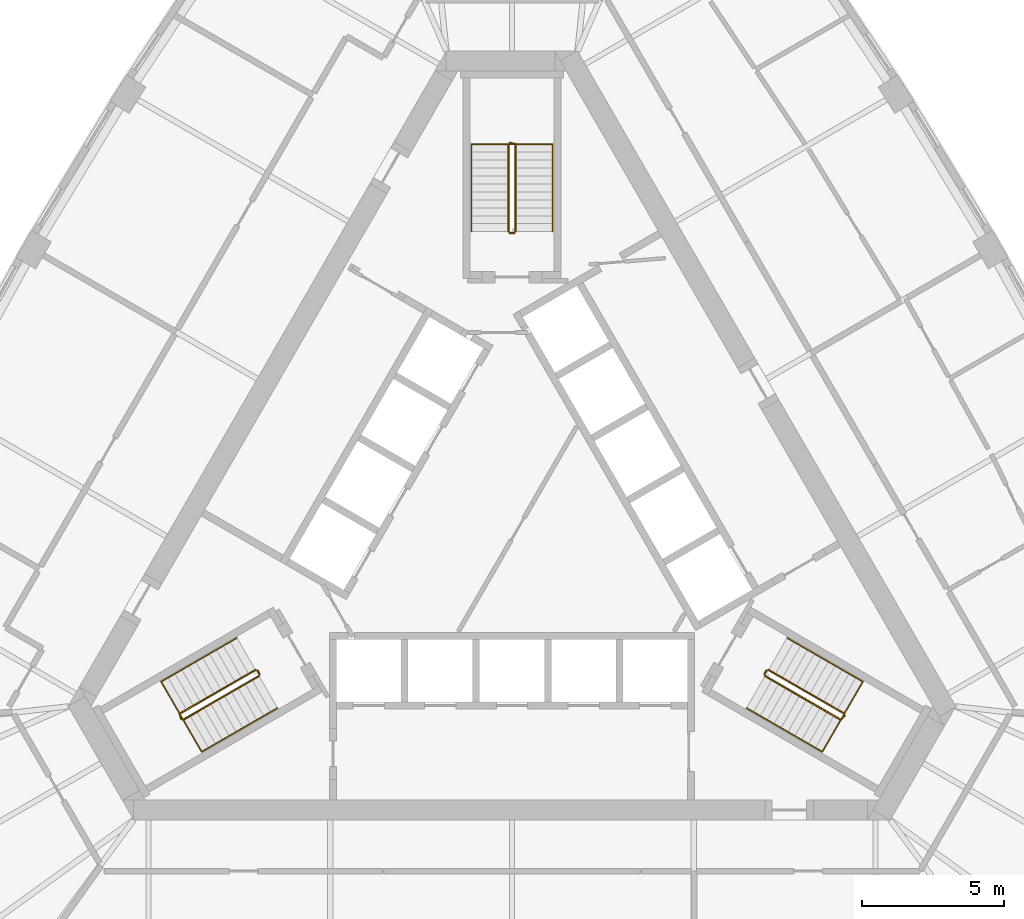
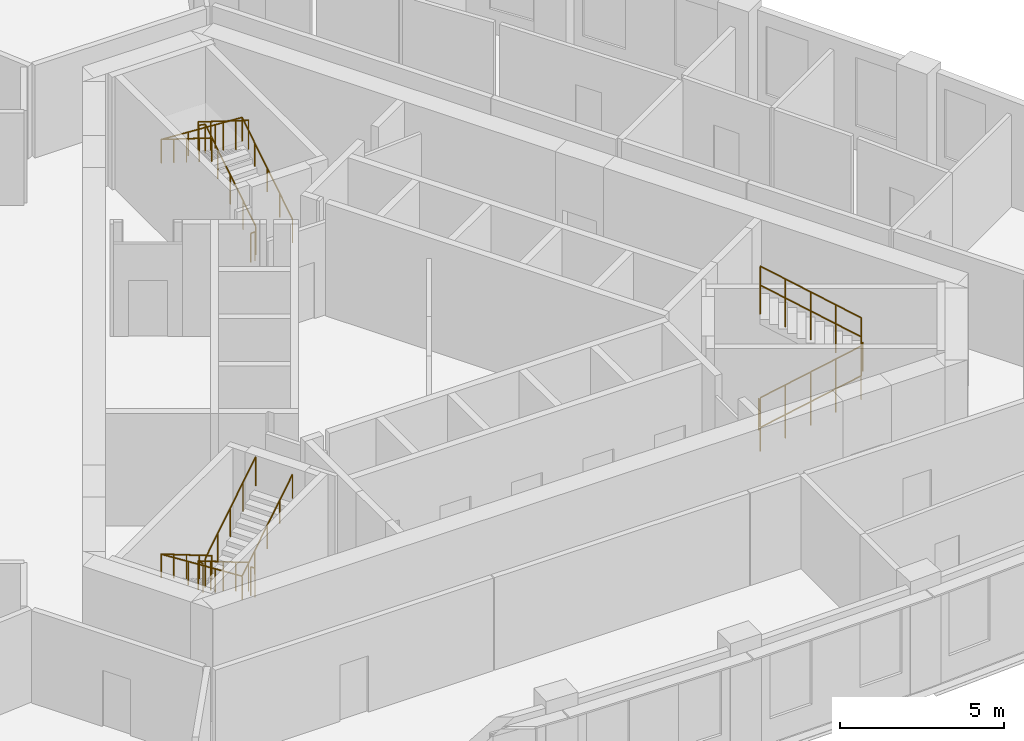
# One storey, part 10 of 10: 12 railings.
"""IFC4 building model written with IfcOpenShell, lengths in metres."""

import ifcopenshell
import ifcopenshell.guid

model = None  # the IFC model being written
_history = None  # IfcOwnerHistory: only IFC2X3 demands one
_inside = {}  # id of a spatial element -> (the spatial element, [elements in it])
_under = {}  # id of a project, library or spatial element -> (it, [spatial elements below it])
_declared = {}  # id of a project -> (the project, [libraries it declares])
_typed = {}  # id of a type object -> (the type object, [elements of that type])
_made_of = {}  # id of a material, layer set ... -> (it, [elements and type objects made of it])


def new_model(schema):
    """Start an empty IFC model of exactly this schema.

    Asked for "IFC4X3", IfcOpenShell would pick the latest addendum, in which some entities
    have other attributes; the version numbers below select the first issue.
    IFC2X3 requires an IfcOwnerHistory on every rooted entity: one is made here for all.
    """
    global model, _history
    if schema == "IFC4X3":
        model = ifcopenshell.file(schema_version=(4, 3, 0, 0))
    else:
        model = ifcopenshell.file(schema=schema)
    _inside.clear()
    _under.clear()
    _declared.clear()
    _typed.clear()
    _made_of.clear()
    _history = None
    if model.schema == "IFC2X3":
        org = make("IfcOrganization", Name="unknown")
        user = make(
            "IfcPersonAndOrganization",
            ThePerson=make("IfcPerson", FamilyName="unknown"),
            TheOrganization=org,
        )
        app = make(
            "IfcApplication",
            ApplicationDeveloper=org,
            Version="unknown",
            ApplicationFullName="unknown",
            ApplicationIdentifier="unknown",
        )
        _history = make(
            "IfcOwnerHistory",
            OwningUser=user,
            OwningApplication=app,
            ChangeAction="ADDED",
            CreationDate=0,
        )
    return model


def make(cls, **values):
    """One entity of the class cls with the attributes given. An attribute that is None is left unset."""
    return model.create_entity(
        cls, **{name: value for name, value in values.items() if value is not None}
    )


def rooted(cls, **values):
    """An entity with a GlobalId (a new one), such as an element, a storey or a relation."""
    return make(cls, GlobalId=ifcopenshell.guid.new(), OwnerHistory=_history, **values)


def si_unit(unit_type, name, prefix=None):
    """IfcSIUnit, for example si_unit("LENGTHUNIT", "METRE", prefix="MILLI")."""
    return make("IfcSIUnit", UnitType=unit_type, Prefix=prefix, Name=name)


def assignment(units):
    """IfcUnitAssignment: the units of a project."""
    return None if units is None else make("IfcUnitAssignment", Units=units)


def point(xyz):
    """IfcCartesianPoint."""
    return None if xyz is None else make("IfcCartesianPoint", Coordinates=xyz)


def direction(xyz):
    """IfcDirection."""
    return None if xyz is None else make("IfcDirection", DirectionRatios=xyz)


def frame(location, z_axis=None, x_axis=None):
    """IfcAxis2Placement3D, a coordinate frame: its origin and axes. An axis left out is left unset."""
    return make(
        "IfcAxis2Placement3D",
        Location=point(location),
        Axis=direction(z_axis),
        RefDirection=direction(x_axis),
    )


def frame_2d(location, x_axis=None):
    """IfcAxis2Placement2D, a coordinate frame in the plane: its origin and x axis."""
    return make(
        "IfcAxis2Placement2D", Location=point(location), RefDirection=direction(x_axis)
    )


def origin():
    """The frame at (0, 0, 0) with its axes left unset."""
    return frame((0.0, 0.0, 0.0))


def origin_2d():
    """The frame at (0, 0) in the plane with its x axis left unset."""
    return frame_2d((0.0, 0.0))


def place(relative_to, where):
    """IfcLocalPlacement: puts the frame where relative to a parent placement (None: the world)."""
    return make(
        "IfcLocalPlacement", PlacementRelTo=relative_to, RelativePlacement=where
    )


def context(
    kind, dimensions, precision=None, world=None, true_north=None, identifier=None
):
    """IfcGeometricRepresentationContext, for example the 3D "Model" context."""
    return make(
        "IfcGeometricRepresentationContext",
        ContextIdentifier=identifier,
        ContextType=kind,
        CoordinateSpaceDimension=dimensions,
        Precision=precision,
        WorldCoordinateSystem=world,
        TrueNorth=true_north,
    )


def subcontext(parent, identifier, kind, view, scale=None):
    """IfcGeometricRepresentationSubContext, for example "Body" below "Model"."""
    return make(
        "IfcGeometricRepresentationSubContext",
        ContextIdentifier=identifier,
        ContextType=kind,
        ParentContext=parent,
        TargetScale=scale,
        TargetView=view,
    )


def project(units=None, contexts=None):
    """IfcProject with its units and contexts."""
    return rooted(
        "IfcProject",
        Name="project",
        RepresentationContexts=contexts,
        UnitsInContext=assignment(units),
    )


def spatial(cls, under=None, at=None, **own):
    """A site, building, storey or space (cls), placed at a placement, below another one or the project."""
    s = rooted(cls, ObjectPlacement=at, **own)
    if under is not None:
        _under.setdefault(under.id(), (under, []))[1].append(s)
    return s


def profile(cls, at=None, kind="AREA", **sizes):
    """A parametric profile (cls). Its sizes go by their IFC names, for example OverallWidth=200.0."""
    return make(cls, ProfileType=kind, Position=at, **sizes)


def circle(**sizes):
    """IfcCircleProfileDef."""
    return profile("IfcCircleProfileDef", **sizes)


def extrude(swept, where, along, depth):
    """IfcExtrudedAreaSolid: the profile swept, set in the frame where, extruded along a direction by depth."""
    return make(
        "IfcExtrudedAreaSolid",
        SweptArea=swept,
        Position=where,
        ExtrudedDirection=direction(along),
        Depth=depth,
    )


def shape(context_of_items, identifier, shape_type, items):
    """IfcShapeRepresentation: the items that make up one representation, for example the "Body"."""
    return make(
        "IfcShapeRepresentation",
        ContextOfItems=context_of_items,
        RepresentationIdentifier=identifier,
        RepresentationType=shape_type,
        Items=items,
    )


def material(Name=None, Category=None):
    """IfcMaterial."""
    return make("IfcMaterial", Name=Name, Category=Category)


def made_of(thing, what):
    """Note that an element or type object is made of a material, layer set ...; save() writes the relation."""
    if what is not None:
        _made_of.setdefault(what.id(), (what, []))[1].append(thing)
    return thing


def type_object(cls, material=None, **own):
    """A type object (cls), such as IfcWallType, which elements share."""
    return made_of(rooted(cls, **own), material)


def element(
    cls,
    number,
    at=None,
    inside=None,
    cuts=None,
    type_object=None,
    material=None,
    context=None,
    identifier="Body",
    shape_type=None,
    held_by="IfcProductDefinitionShape",
    body=None,
    shapes=None,
    **own,
):
    """One element of the class cls, such as IfcWall. Its Tag is "e" and its number.

    at: its placement. inside: the storey or other place that contains it. cuts: it is an
    opening in that element (IfcRelVoidsElement). A single representation is given by context,
    identifier, shape_type and body (its items); several are given by shapes. held_by: the class
    of the entity that holds the representations. save() writes the other relations.
    """
    e = rooted(cls, Tag="e%d" % number, ObjectPlacement=at, **own)
    if body is not None:
        shapes = [shape(context, identifier, shape_type, body)]
    if shapes is not None:
        e.Representation = make(held_by, Representations=shapes)
    if inside is not None:
        _inside.setdefault(inside.id(), (inside, []))[1].append(e)
    if cuts is not None:
        rooted(
            "IfcRelVoidsElement", RelatingBuildingElement=cuts, RelatedOpeningElement=e
        )
    if type_object is not None:
        _typed.setdefault(type_object.id(), (type_object, []))[1].append(e)
    return made_of(e, material)


def aggregate(whole, parts):
    """IfcRelAggregates: a whole, such as a stair, and the parts it consists of."""
    return rooted("IfcRelAggregates", RelatingObject=whole, RelatedObjects=parts)


def save(model, path):
    """Write the relations noted so far, then the file.

    IfcRelAggregates (storeys below a building ...), IfcRelContainedInSpatialStructure (elements
    in a storey), IfcRelDefinesByType, IfcRelAssociatesMaterial and IfcRelDeclares: one each for
    every whole, place, type object, material and project.
    """
    for whole, parts in _under.values():
        aggregate(whole, parts)
    for where, things in _inside.values():
        rooted(
            "IfcRelContainedInSpatialStructure",
            RelatedElements=things,
            RelatingStructure=where,
        )
    for kind, things in _typed.values():
        rooted("IfcRelDefinesByType", RelatedObjects=things, RelatingType=kind)
    for what, things in _made_of.values():
        rooted("IfcRelAssociatesMaterial", RelatedObjects=things, RelatingMaterial=what)
    for by, libraries in _declared.values():
        rooted("IfcRelDeclares", RelatingContext=by, RelatedDefinitions=libraries)
    model.write(path)


model = new_model("IFC4")

# Units and contexts
model_context = context("Model", 3, precision=1e-05, world=origin(), true_north=direction((0.0, 1.0)))
body_context = subcontext(model_context, "Body", "Model", "MODEL_VIEW")
ifc_project = project(units=[si_unit("LENGTHUNIT", "METRE"), si_unit("AREAUNIT", "SQUARE_METRE"), si_unit("VOLUMEUNIT", "CUBIC_METRE"), si_unit("PLANEANGLEUNIT", "RADIAN"), si_unit("MASSUNIT", "GRAM", prefix="KILO")], contexts=[model_context])

# Site, building, storey
site_placement = place(None, origin())
site = spatial("IfcSite", under=ifc_project, at=site_placement, CompositionType="ELEMENT")
building_placement = place(site_placement, origin())
building = spatial("IfcBuilding", under=site, at=building_placement, Name="Mestral Congress Tower", CompositionType="ELEMENT")
storey_placement = place(building_placement, frame((0.0, 0.0, 235.199951171875)))
storey = spatial("IfcBuildingStorey", under=building, at=storey_placement, Name="L55", CompositionType="ELEMENT", Elevation=235.199951171875)

# Railings
ifc_material_1 = material(Name="Steel balustrade", Category="steel")
railing_type_1 = type_object("IfcRailingType", Name="Stair guard 1100", PredefinedType="GUARDRAIL", material=ifc_material_1)
railing_1_placement = place(storey_placement, frame((8.90087890625, -5.283203125, 0.175048828125)))
element("IfcRailing", 1, at=railing_1_placement, inside=storey, type_object=railing_type_1, Name="L55 ST1 stair guard 1", PredefinedType="GUARDRAIL", context=body_context, shape_type="SweptSolid", body=[
    extrude(circle(Radius=0.02392578125, at=origin_2d()), frame((0.0, 0.0, 1.076171875), z_axis=(0.734364028329, -0.424015404183, 0.530019255228), x_axis=(0.500026652407, 0.866010015463, 0.0)), (0.0, 0.0, 1.0), 3.632080078125),
    extrude(circle(Radius=0.02392578125, at=origin_2d()), frame((2.667236328125, -1.5400390625, 3.0009765625), z_axis=(0.695164929852, 0.718850276695, 0.0), x_axis=(-0.718850276695, 0.695164929852, 0.0)), (0.0, 0.0, 1.0), 0.2060546875),
    extrude(circle(Radius=0.02099609375, at=origin_2d()), origin(), (0.0, 0.0, 1.0), 1.052001953125),
    extrude(circle(Radius=0.02099609375, at=origin_2d()), frame((0.666748046875, -0.385009765625, 0.481201171875)), (0.0, 0.0, 1.0), 1.052001953125),
    extrude(circle(Radius=0.02099609375, at=origin_2d()), frame((1.33349609375, -0.77001953125, 0.96240234375)), (0.0, 0.0, 1.0), 1.052001953125),
    extrude(circle(Radius=0.02099609375, at=origin_2d()), frame((2.00048828125, -1.155029296875, 1.44384765625)), (0.0, 0.0, 1.0), 1.052001953125),
    extrude(circle(Radius=0.02099609375, at=origin_2d()), frame((2.667236328125, -1.5400390625, 1.925048828125)), (0.0, 0.0, 1.0), 1.052001953125),
    extrude(circle(Radius=0.02099609375, at=origin_2d()), frame((2.810546875, -1.391845703125, 1.925048828125)), (0.0, 0.0, 1.0), 1.052001953125),
])
railing_2_placement = place(storey_placement, frame((11.693115234375, -6.606689453125, 2.275146484375)))
element("IfcRailing", 2, at=railing_2_placement, inside=storey, type_object=railing_type_1, Name="L55 ST1 stair guard 2", PredefinedType="GUARDRAIL", context=body_context, shape_type="SweptSolid", body=[
    extrude(circle(Radius=0.02392578125, at=origin_2d()), frame((0.0, 0.0, 1.076171875), z_axis=(-0.734390191396, 0.42403051051, 0.529970917068), x_axis=(-0.500026652407, -0.866010015463, 0.0)), (0.0, 0.0, 1.0), 3.6318359375),
    extrude(circle(Radius=0.02099609375, at=origin_2d()), origin(), (0.0, 0.0, 1.0), 1.052001953125),
    extrude(circle(Radius=0.02099609375, at=origin_2d()), frame((-0.666748046875, 0.385009765625, 0.481201171875)), (0.0, 0.0, 1.0), 1.052001953125),
    extrude(circle(Radius=0.02099609375, at=origin_2d()), frame((-1.33349609375, 0.77001953125, 0.96240234375)), (0.0, 0.0, 1.0), 1.052001953125),
    extrude(circle(Radius=0.02099609375, at=origin_2d()), frame((-2.00048828125, 1.155029296875, 1.443603515625)), (0.0, 0.0, 1.0), 1.052001953125),
    extrude(circle(Radius=0.02099609375, at=origin_2d()), frame((-2.667236328125, 1.5400390625, 1.9248046875)), (0.0, 0.0, 1.0), 1.052001953125),
])
railing_3_placement = place(storey_placement, frame((8.882568359375, -5.21484375, 0.0)))
element("IfcRailing", 3, at=railing_3_placement, inside=storey, type_object=railing_type_1, Name="L55 ST1 stair guard 3", PredefinedType="GUARDRAIL", context=body_context, shape_type="SweptSolid", body=[
    extrude(circle(Radius=0.02392578125, at=origin_2d()), frame((0.0, 0.0, 1.076171875), z_axis=(0.499816412211, 0.866131372301, 0.0), x_axis=(-0.866131372301, 0.499816412211, 0.0)), (0.0, 0.0, 1.0), 0.14990234375),
    extrude(circle(Radius=0.02099609375, at=origin_2d()), origin(), (0.0, 0.0, 1.0), 1.052001953125),
    extrude(circle(Radius=0.02099609375, at=origin_2d()), frame((0.074951171875, 0.1298828125, 0.0)), (0.0, 0.0, 1.0), 1.052001953125),
])
railing_4_placement = place(storey_placement, frame((0.125, 10.35009765625, 0.175048828125)))
element("IfcRailing", 4, at=railing_4_placement, inside=storey, type_object=railing_type_1, Name="L55 ST2 stair guard 1", PredefinedType="GUARDRAIL", context=body_context, shape_type="SweptSolid", body=[
    extrude(circle(Radius=0.02392578125, at=origin_2d()), frame((0.0, 0.0, 1.076171875), z_axis=(0.0, 0.847979421464, 0.530029150871), x_axis=(-1.0, 0.0, 0.0)), (0.0, 0.0, 1.0), 3.632080078125),
    extrude(circle(Radius=0.02392578125, at=origin_2d()), frame((0.0, 3.079833984375, 3.0009765625), z_axis=(-0.970072785993, 0.242814311512, 0.0), x_axis=(-0.242814311512, -0.970072785993, 0.0)), (0.0, 0.0, 1.0), 0.2060546875),
    extrude(circle(Radius=0.02099609375, at=origin_2d()), origin(), (0.0, 0.0, 1.0), 1.052001953125),
    extrude(circle(Radius=0.02099609375, at=origin_2d()), frame((0.0, 0.77001953125, 0.481201171875)), (0.0, 0.0, 1.0), 1.052001953125),
    extrude(circle(Radius=0.02099609375, at=origin_2d()), frame((0.0, 1.5400390625, 0.96240234375)), (0.0, 0.0, 1.0), 1.052001953125),
    extrude(circle(Radius=0.02099609375, at=origin_2d()), frame((0.0, 2.309814453125, 1.44384765625)), (0.0, 0.0, 1.0), 1.052001953125),
    extrude(circle(Radius=0.02099609375, at=origin_2d()), frame((0.0, 3.079833984375, 1.925048828125)), (0.0, 0.0, 1.0), 1.052001953125),
    extrude(circle(Radius=0.02099609375, at=origin_2d()), frame((-0.199951171875, 3.1298828125, 1.925048828125)), (0.0, 0.0, 1.0), 1.052001953125),
])
railing_5_placement = place(storey_placement, frame((-0.125, 13.429931640625, 2.275146484375)))
element("IfcRailing", 5, at=railing_5_placement, inside=storey, type_object=railing_type_1, Name="L55 ST2 stair guard 2", PredefinedType="GUARDRAIL", context=body_context, shape_type="SweptSolid", body=[
    extrude(circle(Radius=0.02392578125, at=origin_2d()), frame((0.0, 0.0, 1.076171875), z_axis=(0.0, -0.848009633417, 0.529980812513), x_axis=(1.0, 0.0, 0.0)), (0.0, 0.0, 1.0), 3.6318359375),
    extrude(circle(Radius=0.02099609375, at=origin_2d()), origin(), (0.0, 0.0, 1.0), 1.052001953125),
    extrude(circle(Radius=0.02099609375, at=origin_2d()), frame((0.0, -0.77001953125, 0.481201171875)), (0.0, 0.0, 1.0), 1.052001953125),
    extrude(circle(Radius=0.02099609375, at=origin_2d()), frame((0.0, -1.5400390625, 0.96240234375)), (0.0, 0.0, 1.0), 1.052001953125),
    extrude(circle(Radius=0.02099609375, at=origin_2d()), frame((0.0, -2.309814453125, 1.443603515625)), (0.0, 0.0, 1.0), 1.052001953125),
    extrude(circle(Radius=0.02099609375, at=origin_2d()), frame((0.0, -3.079833984375, 1.9248046875)), (0.0, 0.0, 1.0), 1.052001953125),
])
railing_6_placement = place(storey_placement, frame((0.074951171875, 10.300048828125, 0.0)))
element("IfcRailing", 6, at=railing_6_placement, inside=storey, type_object=railing_type_1, Name="L55 ST2 stair guard 3", PredefinedType="GUARDRAIL", context=body_context, shape_type="SweptSolid", body=[
    extrude(circle(Radius=0.02392578125, at=origin_2d()), frame((0.0, 0.0, 1.076171875), z_axis=(-1.0, 0.0, 0.0), x_axis=(0.0, -1.0, 0.0)), (0.0, 0.0, 1.0), 0.14990234375),
    extrude(circle(Radius=0.02099609375, at=origin_2d()), origin(), (0.0, 0.0, 1.0), 1.052001953125),
    extrude(circle(Radius=0.02099609375, at=origin_2d()), frame((-0.14990234375, 0.0, 0.0)), (0.0, 0.0, 1.0), 1.052001953125),
])
railing_7_placement = place(storey_placement, frame((-9.02587890625, -5.066650390625, 0.175048828125)))
element("IfcRailing", 7, at=railing_7_placement, inside=storey, type_object=railing_type_1, Name="L55 ST3 stair guard 1", PredefinedType="GUARDRAIL", context=body_context, shape_type="SweptSolid", body=[
    extrude(circle(Radius=0.02392578125, at=origin_2d()), frame((0.0, 0.0, 1.076171875), z_axis=(-0.734364028329, -0.424015404183, 0.530019255228), x_axis=(0.500026652407, -0.866010015463, 0.0)), (0.0, 0.0, 1.0), 3.632080078125),
    extrude(circle(Radius=0.02392578125, at=origin_2d()), frame((-2.667236328125, -1.5400390625, 3.0009765625), z_axis=(0.274721127897, -0.961523947641, 0.0), x_axis=(0.961523947641, 0.274721127897, 0.0)), (0.0, 0.0, 1.0), 0.2060546875),
    extrude(circle(Radius=0.02099609375, at=origin_2d()), origin(), (0.0, 0.0, 1.0), 1.052001953125),
    extrude(circle(Radius=0.02099609375, at=origin_2d()), frame((-0.666748046875, -0.385009765625, 0.481201171875)), (0.0, 0.0, 1.0), 1.052001953125),
    extrude(circle(Radius=0.02099609375, at=origin_2d()), frame((-1.33349609375, -0.77001953125, 0.96240234375)), (0.0, 0.0, 1.0), 1.052001953125),
    extrude(circle(Radius=0.02099609375, at=origin_2d()), frame((-2.00048828125, -1.155029296875, 1.44384765625)), (0.0, 0.0, 1.0), 1.052001953125),
    extrude(circle(Radius=0.02099609375, at=origin_2d()), frame((-2.667236328125, -1.5400390625, 1.925048828125)), (0.0, 0.0, 1.0), 1.052001953125),
    extrude(circle(Radius=0.02099609375, at=origin_2d()), frame((-2.610595703125, -1.73828125, 1.925048828125)), (0.0, 0.0, 1.0), 1.052001953125),
])
railing_8_placement = place(storey_placement, frame((-11.568115234375, -6.8232421875, 2.275146484375)))
element("IfcRailing", 8, at=railing_8_placement, inside=storey, type_object=railing_type_1, Name="L55 ST3 stair guard 2", PredefinedType="GUARDRAIL", context=body_context, shape_type="SweptSolid", body=[
    extrude(circle(Radius=0.02392578125, at=origin_2d()), frame((0.0, 0.0, 1.076171875), z_axis=(0.734390191396, 0.42403051051, 0.529970917068), x_axis=(-0.500026652407, 0.866010015463, 0.0)), (0.0, 0.0, 1.0), 3.6318359375),
    extrude(circle(Radius=0.02099609375, at=origin_2d()), origin(), (0.0, 0.0, 1.0), 1.052001953125),
    extrude(circle(Radius=0.02099609375, at=origin_2d()), frame((0.666748046875, 0.385009765625, 0.481201171875)), (0.0, 0.0, 1.0), 1.052001953125),
    extrude(circle(Radius=0.02099609375, at=origin_2d()), frame((1.33349609375, 0.77001953125, 0.96240234375)), (0.0, 0.0, 1.0), 1.052001953125),
    extrude(circle(Radius=0.02099609375, at=origin_2d()), frame((2.00048828125, 1.155029296875, 1.443603515625)), (0.0, 0.0, 1.0), 1.052001953125),
    extrude(circle(Radius=0.02099609375, at=origin_2d()), frame((2.667236328125, 1.5400390625, 1.9248046875)), (0.0, 0.0, 1.0), 1.052001953125),
])
railing_9_placement = place(storey_placement, frame((-8.95751953125, -5.0849609375, 0.0)))
element("IfcRailing", 9, at=railing_9_placement, inside=storey, type_object=railing_type_1, Name="L55 ST3 stair guard 3", PredefinedType="GUARDRAIL", context=body_context, shape_type="SweptSolid", body=[
    extrude(circle(Radius=0.02392578125, at=origin_2d()), frame((0.0, 0.0, 1.076171875), z_axis=(0.499816412211, -0.866131372301, 0.0), x_axis=(0.866131372301, 0.499816412211, 0.0)), (0.0, 0.0, 1.0), 0.14990234375),
    extrude(circle(Radius=0.02099609375, at=origin_2d()), origin(), (0.0, 0.0, 1.0), 1.052001953125),
    extrude(circle(Radius=0.02099609375, at=origin_2d()), frame((0.074951171875, -0.1298828125, 0.0)), (0.0, 0.0, 1.0), 1.052001953125),
])
ifc_material_2 = material(Name="Steel handrail", Category="steel")
railing_type_2 = type_object("IfcRailingType", Name="Stair handrail 900", PredefinedType="HANDRAIL", material=ifc_material_2)
railing_10_placement = place(storey_placement, frame((8.2509765625, -6.4091796875, 0.175048828125)))
element("IfcRailing", 10, at=railing_10_placement, inside=storey, type_object=railing_type_2, Name="L55 ST1 stair handrail 1", PredefinedType="HANDRAIL", context=body_context, shape_type="SweptSolid", body=[
    extrude(circle(Radius=0.02392578125, at=origin_2d()), frame((0.0, 0.0, 0.8759765625), z_axis=(0.734384958227, -0.423960268333, 0.530034361155), x_axis=(0.499967199496, 0.866044340336, 0.0)), (0.0, 0.0, 1.0), 3.6318359375),
    extrude(circle(Radius=0.02392578125, at=origin_2d()), frame((2.667236328125, -1.539794921875, 2.80078125), z_axis=(0.499095769026, 0.864375386171, 0.061307463833), x_axis=(-0.866004402611, 0.500036373335, 0.0)), (0.0, 0.0, 1.0), 2.855224609375),
    extrude(circle(Radius=0.02392578125, at=origin_2d()), frame((4.09228515625, 0.92822265625, 2.97607421875), z_axis=(-0.734421155904, 0.424009578203, 0.529944755001), x_axis=(-0.499992328818, -0.866029832698, 0.0)), (0.0, 0.0, 1.0), 3.632080078125),
    extrude(circle(Radius=0.02099609375, at=origin_2d()), origin(), (0.0, 0.0, 1.0), 0.851806640625),
    extrude(circle(Radius=0.02099609375, at=origin_2d()), frame((0.666748046875, -0.385009765625, 0.481201171875)), (0.0, 0.0, 1.0), 0.851806640625),
    extrude(circle(Radius=0.02099609375, at=origin_2d()), frame((1.33349609375, -0.77001953125, 0.96240234375)), (0.0, 0.0, 1.0), 0.851806640625),
    extrude(circle(Radius=0.02099609375, at=origin_2d()), frame((2.00048828125, -1.15478515625, 1.44384765625)), (0.0, 0.0, 1.0), 0.851806640625),
    extrude(circle(Radius=0.02099609375, at=origin_2d()), frame((2.667236328125, -1.539794921875, 1.925048828125)), (0.0, 0.0, 1.0), 0.851806640625),
    extrude(circle(Radius=0.02099609375, at=origin_2d()), frame((3.142333984375, -0.717041015625, 1.9833984375)), (0.0, 0.0, 1.0), 0.851806640625),
    extrude(circle(Radius=0.02099609375, at=origin_2d()), frame((3.6171875, 0.10546875, 2.041748046875)), (0.0, 0.0, 1.0), 0.851806640625),
    extrude(circle(Radius=0.02099609375, at=origin_2d()), frame((4.09228515625, 0.92822265625, 2.10009765625)), (0.0, 0.0, 1.0), 0.851806640625),
    extrude(circle(Radius=0.02099609375, at=origin_2d()), frame((3.42529296875, 1.313232421875, 2.581298828125)), (0.0, 0.0, 1.0), 0.851806640625),
    extrude(circle(Radius=0.02099609375, at=origin_2d()), frame((2.758544921875, 1.6982421875, 3.0625)), (0.0, 0.0, 1.0), 0.851806640625),
    extrude(circle(Radius=0.02099609375, at=origin_2d()), frame((2.091796875, 2.083251953125, 3.543701171875)), (0.0, 0.0, 1.0), 0.851806640625),
    extrude(circle(Radius=0.02099609375, at=origin_2d()), frame((1.4248046875, 2.46826171875, 4.02490234375)), (0.0, 0.0, 1.0), 0.851806640625),
])
railing_11_placement = place(storey_placement, frame((1.425048828125, 10.35009765625, 0.175048828125)))
element("IfcRailing", 11, at=railing_11_placement, inside=storey, type_object=railing_type_2, Name="L55 ST2 stair handrail 1", PredefinedType="HANDRAIL", context=body_context, shape_type="SweptSolid", body=[
    extrude(circle(Radius=0.02392578125, at=origin_2d()), frame((0.0, 0.0, 0.8759765625), z_axis=(0.0, 0.847979421464, 0.530029150871), x_axis=(-1.0, 0.0, 0.0)), (0.0, 0.0, 1.0), 3.632080078125),
    extrude(circle(Radius=0.02392578125, at=origin_2d()), frame((0.0, 3.079833984375, 2.80078125), z_axis=(-0.998119201106, 0.0, 0.061303021003), x_axis=(0.0, -1.0, 0.0)), (0.0, 0.0, 1.0), 2.85546875),
    extrude(circle(Radius=0.02392578125, at=origin_2d()), frame((-2.85009765625, 3.079833984375, 2.97607421875), z_axis=(0.0, -0.848009633417, 0.529980812513), x_axis=(1.0, 0.0, 0.0)), (0.0, 0.0, 1.0), 3.6318359375),
    extrude(circle(Radius=0.02099609375, at=origin_2d()), origin(), (0.0, 0.0, 1.0), 0.851806640625),
    extrude(circle(Radius=0.02099609375, at=origin_2d()), frame((0.0, 0.77001953125, 0.481201171875)), (0.0, 0.0, 1.0), 0.851806640625),
    extrude(circle(Radius=0.02099609375, at=origin_2d()), frame((0.0, 1.5400390625, 0.96240234375)), (0.0, 0.0, 1.0), 0.851806640625),
    extrude(circle(Radius=0.02099609375, at=origin_2d()), frame((0.0, 2.309814453125, 1.44384765625)), (0.0, 0.0, 1.0), 0.851806640625),
    extrude(circle(Radius=0.02099609375, at=origin_2d()), frame((0.0, 3.079833984375, 1.925048828125)), (0.0, 0.0, 1.0), 0.851806640625),
    extrude(circle(Radius=0.02099609375, at=origin_2d()), frame((-0.949951171875, 3.079833984375, 1.9833984375)), (0.0, 0.0, 1.0), 0.851806640625),
    extrude(circle(Radius=0.02099609375, at=origin_2d()), frame((-1.900146484375, 3.079833984375, 2.041748046875)), (0.0, 0.0, 1.0), 0.851806640625),
    extrude(circle(Radius=0.02099609375, at=origin_2d()), frame((-2.85009765625, 3.079833984375, 2.10009765625)), (0.0, 0.0, 1.0), 0.851806640625),
    extrude(circle(Radius=0.02099609375, at=origin_2d()), frame((-2.85009765625, 2.309814453125, 2.581298828125)), (0.0, 0.0, 1.0), 0.851806640625),
    extrude(circle(Radius=0.02099609375, at=origin_2d()), frame((-2.85009765625, 1.5400390625, 3.0625)), (0.0, 0.0, 1.0), 0.851806640625),
    extrude(circle(Radius=0.02099609375, at=origin_2d()), frame((-2.85009765625, 0.77001953125, 3.543701171875)), (0.0, 0.0, 1.0), 0.851806640625),
    extrude(circle(Radius=0.02099609375, at=origin_2d()), frame((-2.85009765625, 0.0, 4.02490234375)), (0.0, 0.0, 1.0), 0.851806640625),
])
railing_12_placement = place(storey_placement, frame((-9.67578125, -3.94091796875, 0.175048828125)))
element("IfcRailing", 12, at=railing_12_placement, inside=storey, type_object=railing_type_2, Name="L55 ST3 stair handrail 1", PredefinedType="HANDRAIL", context=body_context, shape_type="SweptSolid", body=[
    extrude(circle(Radius=0.02392578125, at=origin_2d()), frame((0.0, 0.0, 0.8759765625), z_axis=(-0.734394994316, -0.423994474112, 0.52999309264), x_axis=(0.499992328818, -0.866029832698, 0.0)), (0.0, 0.0, 1.0), 3.63232421875),
    extrude(circle(Radius=0.02392578125, at=origin_2d()), frame((-2.66748046875, -1.5400390625, 2.80078125), z_axis=(0.499095769026, -0.864375386171, 0.061307463833), x_axis=(0.866004402611, 0.500036373335, 0.0)), (0.0, 0.0, 1.0), 2.855224609375),
    extrude(circle(Radius=0.02392578125, at=origin_2d()), frame((-1.242431640625, -4.008056640625, 2.97607421875), z_axis=(0.734411123532, 0.423975373557, 0.529986022693), x_axis=(-0.499967199496, 0.866044340336, 0.0)), (0.0, 0.0, 1.0), 3.6318359375),
    extrude(circle(Radius=0.02099609375, at=origin_2d()), origin(), (0.0, 0.0, 1.0), 0.851806640625),
    extrude(circle(Radius=0.02099609375, at=origin_2d()), frame((-0.6669921875, -0.385009765625, 0.481201171875)), (0.0, 0.0, 1.0), 0.851806640625),
    extrude(circle(Radius=0.02099609375, at=origin_2d()), frame((-1.333740234375, -0.77001953125, 0.96240234375)), (0.0, 0.0, 1.0), 0.851806640625),
    extrude(circle(Radius=0.02099609375, at=origin_2d()), frame((-2.00048828125, -1.155029296875, 1.44384765625)), (0.0, 0.0, 1.0), 0.851806640625),
    extrude(circle(Radius=0.02099609375, at=origin_2d()), frame((-2.66748046875, -1.5400390625, 1.925048828125)), (0.0, 0.0, 1.0), 0.851806640625),
    extrude(circle(Radius=0.02099609375, at=origin_2d()), frame((-2.1923828125, -2.36279296875, 1.9833984375)), (0.0, 0.0, 1.0), 0.851806640625),
    extrude(circle(Radius=0.02099609375, at=origin_2d()), frame((-1.717529296875, -3.185302734375, 2.041748046875)), (0.0, 0.0, 1.0), 0.851806640625),
    extrude(circle(Radius=0.02099609375, at=origin_2d()), frame((-1.242431640625, -4.008056640625, 2.10009765625)), (0.0, 0.0, 1.0), 0.851806640625),
    extrude(circle(Radius=0.02099609375, at=origin_2d()), frame((-0.57568359375, -3.623046875, 2.581298828125)), (0.0, 0.0, 1.0), 0.851806640625),
    extrude(circle(Radius=0.02099609375, at=origin_2d()), frame((0.09130859375, -3.23828125, 3.0625)), (0.0, 0.0, 1.0), 0.851806640625),
    extrude(circle(Radius=0.02099609375, at=origin_2d()), frame((0.758056640625, -2.853271484375, 3.543701171875)), (0.0, 0.0, 1.0), 0.851806640625),
    extrude(circle(Radius=0.02099609375, at=origin_2d()), frame((1.4248046875, -2.46826171875, 4.02490234375)), (0.0, 0.0, 1.0), 0.851806640625),
])

save(model, "model.ifc")
